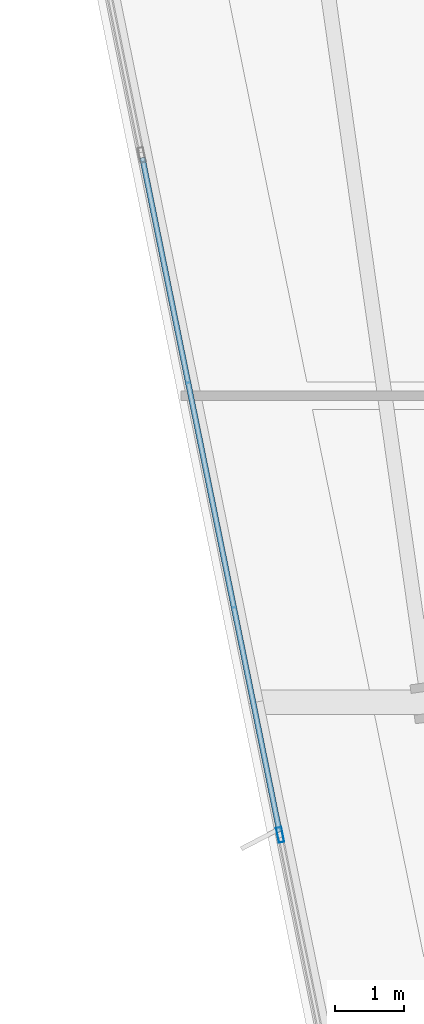
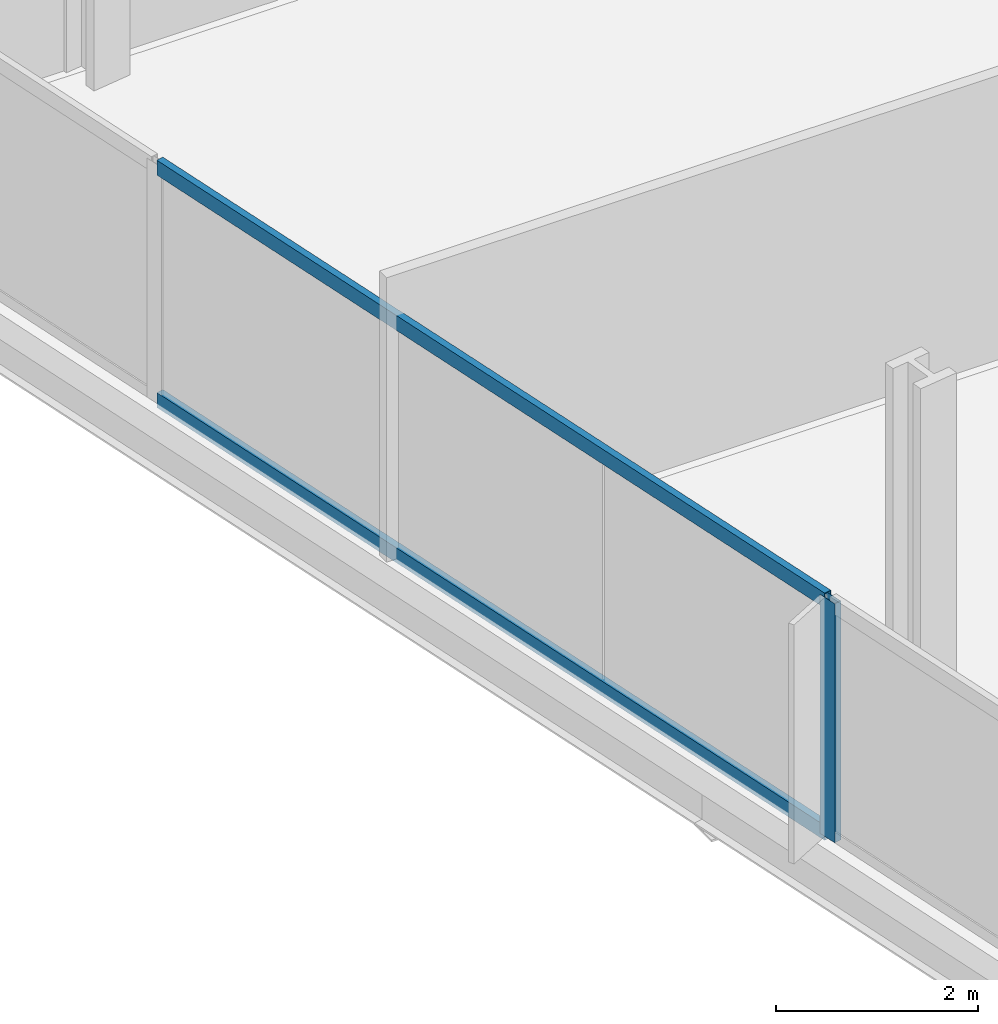
# One storey, part 6 of 33: 3 members, 1 element without a shape of its own.
"""IFC4 building model written with IfcOpenShell, lengths in metres."""

from ifc_helpers import new_model, si_unit, direction, frame, origin, origin_2d, place, context, subcontext, project, spatial, hollow_rectangle, extrude, material, material_profile, profile_set, type_object, element, aggregate, save


model = new_model("IFC4")

# Units and contexts
model_context = context("Model", 3, precision=1e-05, world=origin(), true_north=direction((0.0, 1.0)))
body_context = subcontext(model_context, "Body", "Model", "MODEL_VIEW")
ifc_project = project(units=[si_unit("LENGTHUNIT", "METRE"), si_unit("AREAUNIT", "SQUARE_METRE"), si_unit("VOLUMEUNIT", "CUBIC_METRE"), si_unit("PLANEANGLEUNIT", "RADIAN"), si_unit("MASSUNIT", "GRAM", prefix="KILO")], contexts=[model_context])

# Site, building, storey
site_placement = place(None, origin())
site = spatial("IfcSite", under=ifc_project, at=site_placement, CompositionType="ELEMENT")
building_placement = place(site_placement, origin())
building = spatial("IfcBuilding", under=site, at=building_placement, Name="Haldenkirk Collegiate Tower", CompositionType="ELEMENT")
storey_placement = place(building_placement, frame((0.0, 0.0, 66.449951171875)))
storey = spatial("IfcBuildingStorey", under=building, at=storey_placement, Name="L15", CompositionType="ELEMENT", Elevation=66.449951171875)

# Curtain wall, members
ifc_material = material(Name="Anodised architectural bronze aluminium", Category="aluminium")
curtain_wall_type = type_object("IfcCurtainWallType", Name="CW-SYS1-CONVEX-LOW", PredefinedType="USERDEFINED", material=ifc_material)
curtain_wall_placement = place(storey_placement, origin())
curtain_wall = element("IfcCurtainWall", 1, at=curtain_wall_placement, inside=storey, type_object=curtain_wall_type, Name="L15 Lower tower convex bronze-framed unitised curtain wall", ObjectType="UNITISED CURTAIN WALL", PredefinedType="USERDEFINED")
ifc_material_profile_1 = material_profile(ifc_material, hollow_rectangle(XDim=0.080078125, YDim=0.219970703125, WallThickness=0.0048828125, at=origin_2d()), Name="CW-MUL-1A")
ifc_profile_set_1 = profile_set([ifc_material_profile_1], Name="Anodised architectural bronze aluminium")
member_type_1 = type_object("IfcMemberType", Name="CW-MUL-1A", PredefinedType="MULLION", material=ifc_profile_set_1)
member_1_placement = place(storey_placement, frame((9.979248046875, 21.126953125, 0.0), z_axis=(0.0, 0.0, 1.0), x_axis=(-0.979924462932, -0.199369122351, 0.0)))
member_1 = element("IfcMember", 2, at=member_1_placement, type_object=member_type_1, Name="CW-1A mullion 3", PredefinedType="MULLION", context=body_context, shape_type="SweptSolid", body=[
    extrude(hollow_rectangle(XDim=0.080078125, YDim=0.219970703125, WallThickness=0.0048828125, at=origin_2d()), origin(), (0.0, 0.0, 1.0), 2.89111328125),
])
ifc_material_profile_2 = material_profile(ifc_material, hollow_rectangle(XDim=0.080078125, YDim=0.179931640625, WallThickness=0.0048828125, at=origin_2d()), Name="CW-TRN-1A")
ifc_profile_set_2 = profile_set([ifc_material_profile_2], Name="Anodised architectural bronze aluminium")
member_type_2 = type_object("IfcMemberType", Name="CW-TRN-1A", PredefinedType="USERDEFINED", material=ifc_profile_set_2)
member_2_placement = place(storey_placement, frame((9.97119140625, 21.166259765625, 0.0400390625), z_axis=(-0.199372403444, 0.979923795376, 0.0), x_axis=(-0.979923795376, -0.199372403444, 0.0)))
member_2 = element("IfcMember", 3, at=member_2_placement, type_object=member_type_2, Name="CW-1A transom 3.1", ObjectType="TRANSOM", PredefinedType="USERDEFINED", context=body_context, shape_type="SweptSolid", body=[
    extrude(hollow_rectangle(XDim=0.080078125, YDim=0.179931640625, WallThickness=0.0048828125, at=origin_2d()), origin(), (0.0, 0.0, 1.0), 9.988525390625),
])
member_3_placement = place(storey_placement, frame((9.97119140625, 21.166259765625, 2.85107421875), z_axis=(-0.199372403444, 0.979923795376, 0.0), x_axis=(-0.979923795376, -0.199372403444, 0.0)))
member_3 = element("IfcMember", 4, at=member_3_placement, type_object=member_type_2, Name="CW-1A transom 3.2", ObjectType="TRANSOM", PredefinedType="USERDEFINED", context=body_context, shape_type="SweptSolid", body=[
    extrude(hollow_rectangle(XDim=0.080078125, YDim=0.179931640625, WallThickness=0.0048828125, at=origin_2d()), origin(), (0.0, 0.0, 1.0), 9.988525390625),
])
aggregate(curtain_wall, [member_1, member_2, member_3])

save(model, "model.ifc")
